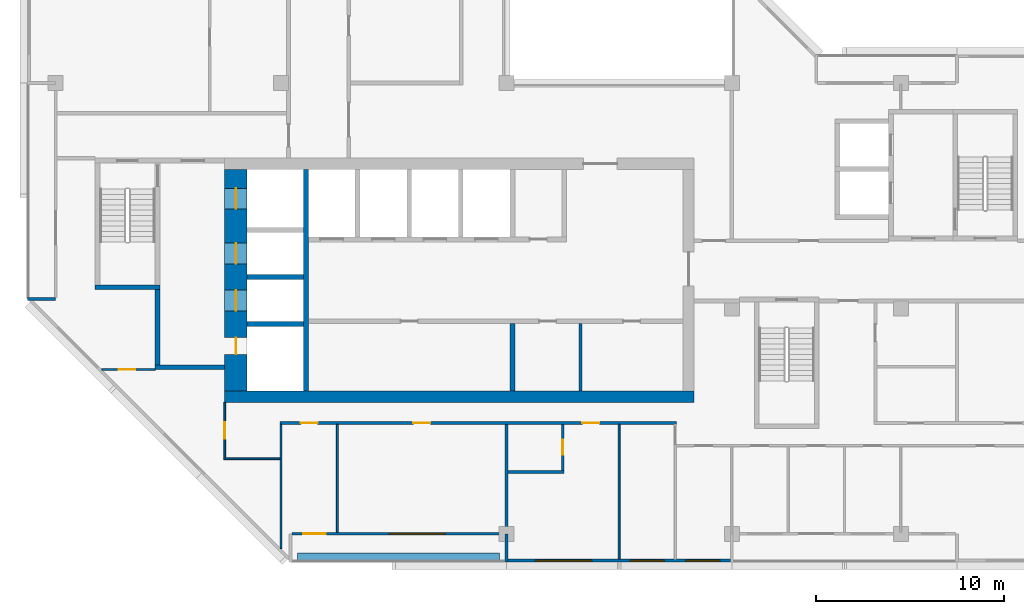
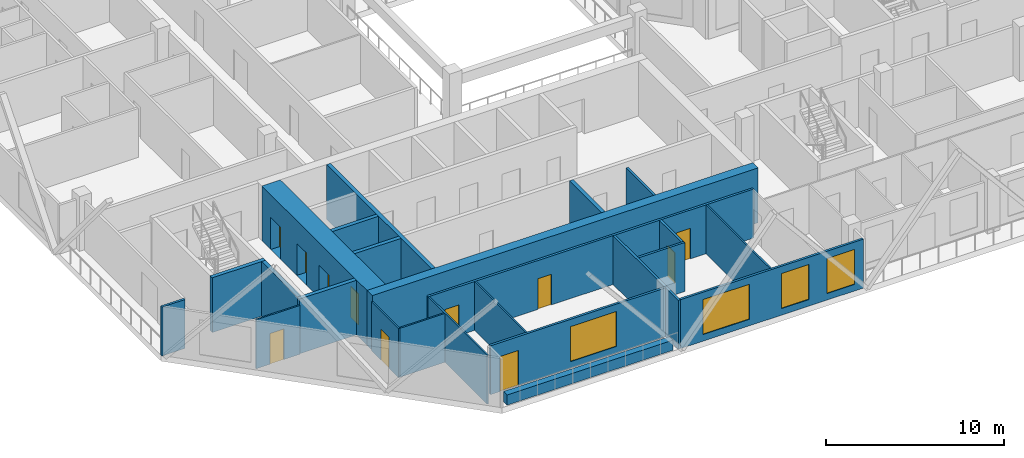
# One storey, part 4 of 13: 25 walls, 11 doors, 4 windows, 15 openings.
"""IFC4 building model written with IfcOpenShell, lengths in metres."""

from ifc_helpers import new_model, si_unit, direction, frame, frame_2d, origin, place, context, subcontext, project, spatial, rectangle, extrude, material, layer, layer_set, type_object, element, fill, save


model = new_model("IFC4")

# Units and contexts
model_context = context("Model", 3, precision=1e-05, world=origin(), true_north=direction((0.0, 1.0)))
body_context = subcontext(model_context, "Body", "Model", "MODEL_VIEW")
ifc_project = project(units=[si_unit("LENGTHUNIT", "METRE"), si_unit("AREAUNIT", "SQUARE_METRE"), si_unit("VOLUMEUNIT", "CUBIC_METRE"), si_unit("PLANEANGLEUNIT", "RADIAN"), si_unit("MASSUNIT", "GRAM", prefix="KILO")], contexts=[model_context])

# Site, building, storey
site_placement = place(None, origin())
site = spatial("IfcSite", under=ifc_project, at=site_placement, CompositionType="ELEMENT")
building_placement = place(site_placement, origin())
building = spatial("IfcBuilding", under=site, at=building_placement, Name="Chenar Terraces", CompositionType="ELEMENT")
storey_placement = place(building_placement, frame((0.0, 0.0, 295.89990234375)))
storey = spatial("IfcBuildingStorey", under=building, at=storey_placement, Name="L69", CompositionType="ELEMENT", Elevation=295.89990234375)

# Wall
ifc_material_1 = material(Name="Gypsum board on steel studs", Category="steel")
ifc_layer_1 = layer(ifc_material_1, 0.14990234375)
ifc_layer_set_1 = layer_set([ifc_layer_1], Name="Gypsum board on steel studs")
wall_type_1 = type_object("IfcWallType", Name="Core partition 150 gypsum board", PredefinedType="PARTITIONING", material=ifc_layer_set_1)
wall_1_placement = place(storey_placement, frame((27.949951171875, 7.60009765625, 0.0), z_axis=(0.0, 0.0, 1.0), x_axis=(0.0, 1.0, 0.0)))
element("IfcWall", 1, at=wall_1_placement, inside=storey, type_object=wall_type_1, Name="Core partition CP1 freed bay wall", PredefinedType="PARTITIONING", context=body_context, shape_type="SweptSolid", body=[
    extrude(rectangle(XDim=3.599853515625, YDim=0.14990234375, at=frame_2d((1.7998046875, 0.0))), origin(), (0.0, 0.0, 1.0), 3.35009765625),
])

# Wall, openings, doors
ifc_material_2 = material(Name="Concrete C50/60", Category="concrete")
ifc_layer_2 = layer(ifc_material_2, 1.199951171875)
ifc_layer_set_2 = layer_set([ifc_layer_2], Name="Concrete C50/60")
wall_type_2 = type_object("IfcWallType", Name="Core wall 1200 Concrete C50/60", PredefinedType="SHEAR", material=ifc_layer_set_2)
wall_2_placement = place(storey_placement, frame((9.60009765625, 7.60009765625, 0.0), z_axis=(0.0, 0.0, 1.0), x_axis=(0.0, 1.0, 0.0)))
wall_2 = element("IfcWall", 2, at=wall_2_placement, inside=storey, type_object=wall_type_2, Name="Core wall W L69", PredefinedType="SHEAR", context=body_context, shape_type="SweptSolid", body=[
    extrude(rectangle(XDim=11.7998046875, YDim=1.199951171875, at=frame_2d((5.89990234375, 0.0))), origin(), (0.0, 0.0, 1.0), 3.75),
])
opening_1_placement = place(wall_2_placement, frame((4.27490234375, 0.0, 0.0)))
opening_1 = element("IfcOpeningElement", 3, at=opening_1_placement, cuts=wall_2, Name="Opening DL69-LD5", PredefinedType="OPENING", context=body_context, shape_type="SweptSolid", body=[
    extrude(rectangle(XDim=1.10009765625, YDim=2.199951171875, at=frame_2d((0.550048828125, 1.10009765625))), frame((0.0, 0.60986328125, 0.0), z_axis=(0.0, -1.0, 0.0), x_axis=(1.0, 0.0, 0.0)), (0.0, 0.0, 1.0), 1.219970703125),
])
opening_2_placement = place(wall_2_placement, frame((6.77490234375, 0.0, 0.0)))
opening_2 = element("IfcOpeningElement", 4, at=opening_2_placement, cuts=wall_2, Name="Opening DL69-LD6", PredefinedType="OPENING", context=body_context, shape_type="SweptSolid", body=[
    extrude(rectangle(XDim=1.10009765625, YDim=2.199951171875, at=frame_2d((0.550048828125, 1.10009765625))), frame((0.0, 0.60986328125, 0.0), z_axis=(0.0, -1.0, 0.0), x_axis=(1.0, 0.0, 0.0)), (0.0, 0.0, 1.0), 1.219970703125),
])
opening_3_placement = place(wall_2_placement, frame((9.699951171875, 0.0, 0.0)))
opening_3 = element("IfcOpeningElement", 5, at=opening_3_placement, cuts=wall_2, Name="Opening DL69-LD7", PredefinedType="OPENING", context=body_context, shape_type="SweptSolid", body=[
    extrude(rectangle(XDim=1.10009765625, YDim=2.199951171875, at=frame_2d((0.550048828125, 1.10009765625))), frame((0.0, 0.60986328125, 0.0), z_axis=(0.0, -1.0, 0.0), x_axis=(1.0, 0.0, 0.0)), (0.0, 0.0, 1.0), 1.219970703125),
])
opening_4_placement = place(wall_2_placement, frame((1.949951171875, 0.0, 0.0)))
opening_4 = element("IfcOpeningElement", 6, at=opening_4_placement, cuts=wall_2, Name="Opening DL69-C4", PredefinedType="OPENING", context=body_context, shape_type="SweptSolid", body=[
    extrude(rectangle(XDim=0.89990234375, YDim=2.10009765625, at=frame_2d((0.449951171875, 1.050048828125))), frame((0.0, 0.60986328125, 0.0), z_axis=(0.0, -1.0, 0.0), x_axis=(1.0, 0.0, 0.0)), (0.0, 0.0, 1.0), 1.219970703125),
])
ifc_material_3 = material(Name="Stainless steel", Category="steel")
door_type_1 = type_object("IfcDoorType", Name="Lift landing door 1100 x 2200 sliding", OperationType="DOUBLE_DOOR_SLIDING", PredefinedType="DOOR", material=ifc_material_3)
door_1_placement = place(opening_1_placement, origin())
door_1 = element("IfcDoor", 7, at=door_1_placement, inside=storey, type_object=door_type_1, Name="Landing door S1", OperationType="DOUBLE_DOOR_SLIDING", OverallHeight=2.199951171875, OverallWidth=1.10009765625, PredefinedType="DOOR", context=body_context, shape_type="SweptSolid", body=[
    extrude(rectangle(XDim=1.10009765625, YDim=2.199951171875, at=frame_2d((0.550048828125, 1.10009765625))), frame((0.0, 0.02490234375, 0.0), z_axis=(0.0, -1.0, 0.0), x_axis=(1.0, 0.0, 0.0)), (0.0, 0.0, 1.0), 0.050048828125),
])
fill(opening_1, door_1)
door_2_placement = place(opening_2_placement, origin())
door_2 = element("IfcDoor", 8, at=door_2_placement, inside=storey, type_object=door_type_1, Name="Landing door F1", OperationType="DOUBLE_DOOR_SLIDING", OverallHeight=2.199951171875, OverallWidth=1.10009765625, PredefinedType="DOOR", context=body_context, shape_type="SweptSolid", body=[
    extrude(rectangle(XDim=1.10009765625, YDim=2.199951171875, at=frame_2d((0.550048828125, 1.10009765625))), frame((0.0, 0.02490234375, 0.0), z_axis=(0.0, -1.0, 0.0), x_axis=(1.0, 0.0, 0.0)), (0.0, 0.0, 1.0), 0.050048828125),
])
fill(opening_2, door_2)
door_3_placement = place(opening_3_placement, origin())
door_3 = element("IfcDoor", 9, at=door_3_placement, inside=storey, type_object=door_type_1, Name="Landing door F2", OperationType="DOUBLE_DOOR_SLIDING", OverallHeight=2.199951171875, OverallWidth=1.10009765625, PredefinedType="DOOR", context=body_context, shape_type="SweptSolid", body=[
    extrude(rectangle(XDim=1.10009765625, YDim=2.199951171875, at=frame_2d((0.550048828125, 1.10009765625))), frame((0.0, 0.02490234375, 0.0), z_axis=(0.0, -1.0, 0.0), x_axis=(1.0, 0.0, 0.0)), (0.0, 0.0, 1.0), 0.050048828125),
])
fill(opening_3, door_3)
ifc_material_4 = material(Name="Steel-framed fire-resisting door leaf", Category="steel")
door_type_2 = type_object("IfcDoorType", Name="Riser fire door FD60 900 x 2100", OperationType="SINGLE_SWING_LEFT", PredefinedType="DOOR", material=ifc_material_4)
door_4_placement = place(opening_4_placement, frame((0.89990234375, 0.0, 0.0), z_axis=(0.0, 0.0, 1.0), x_axis=(-1.0, 0.0, 0.0)))
door_4 = element("IfcDoor", 10, at=door_4_placement, inside=storey, type_object=door_type_2, Name="Riser door DL69-C4", OperationType="SINGLE_SWING_LEFT", OverallHeight=2.10009765625, OverallWidth=0.89990234375, PredefinedType="DOOR", context=body_context, shape_type="SweptSolid", body=[
    extrude(rectangle(XDim=0.89990234375, YDim=2.10009765625, at=frame_2d((0.449951171875, 1.050048828125))), frame((0.0, 0.02490234375, 0.0), z_axis=(0.0, -1.0, 0.0), x_axis=(1.0, 0.0, 0.0)), (0.0, 0.0, 1.0), 0.050048828125),
])
fill(opening_4, door_4)

# Walls
ifc_material_5 = material(Name="Concrete C50/60", Category="concrete")
ifc_layer_3 = layer(ifc_material_5, 0.25)
ifc_layer_set_3 = layer_set([ifc_layer_3], Name="Concrete C50/60")
wall_type_3 = type_object("IfcWallType", Name="Core wall 250 Concrete C50/60", PredefinedType="SHEAR", material=ifc_layer_set_3)
wall_3_placement = place(storey_placement, frame((13.324951171875, 7.60009765625, 0.0), z_axis=(0.0, 0.0, 1.0), x_axis=(0.0, 1.0, 0.0)))
element("IfcWall", 11, at=wall_3_placement, inside=storey, type_object=wall_type_3, Name="Core wall WI L69", PredefinedType="SHEAR", context=body_context, shape_type="SweptSolid", body=[
    extrude(rectangle(XDim=11.7998046875, YDim=0.25, at=frame_2d((5.89990234375, 0.0))), origin(), (0.0, 0.0, 1.0), 3.75),
])
for number, where, z_axis, x_axis, name in (
    (12, (10.199951171875, 11.175048828125, 0.0), (0.0, 0.0, 1.0), (1.0, 0.0, 0.0), "Core wall HW0 L69"),
    (13, (10.199951171875, 13.675048828125, 0.0), (0.0, 0.0, 1.0), (1.0, 0.0, 0.0), "Core wall HW1 L69"),
):
    element("IfcWall", number, at=place(storey_placement, frame(where, z_axis=z_axis, x_axis=x_axis)), inside=storey, type_object=wall_type_3, Name=name, PredefinedType="SHEAR", context=body_context, shape_type="SweptSolid", body=[
        extrude(rectangle(XDim=3.0, YDim=0.25, at=frame_2d((1.5, 0.0))), origin(), (0.0, 0.0, 1.0), 3.75),
    ])
wall_4_placement = place(storey_placement, frame((24.324951171875, 7.60009765625, 0.0), z_axis=(0.0, 0.0, 1.0), x_axis=(0.0, 1.0, 0.0)))
element("IfcWall", 14, at=wall_4_placement, inside=storey, type_object=wall_type_3, Name="Core wall SS3 L69", PredefinedType="SHEAR", context=body_context, shape_type="SweptSolid", body=[
    extrude(rectangle(XDim=3.599853515625, YDim=0.25, at=frame_2d((1.7998046875, 0.0))), origin(), (0.0, 0.0, 1.0), 3.75),
])
wall_5_placement = place(storey_placement, frame((2.10009765625, 13.125, 0.0), z_axis=(0.0, 0.0, 1.0), x_axis=(1.0, 0.0, 0.0)))
element("IfcWall", 15, at=wall_5_placement, inside=storey, type_object=wall_type_3, Name="Core wall ST1_S L69", PredefinedType="SHEAR", context=body_context, shape_type="SweptSolid", body=[
    extrude(rectangle(XDim=3.449951171875, YDim=0.25, at=frame_2d((1.72509765625, 0.0))), origin(), (0.0, 0.0, 1.0), 3.75),
])
wall_6_placement = place(storey_placement, frame((5.300048828125, 8.875, 0.0), z_axis=(0.0, 0.0, 1.0), x_axis=(1.0, 0.0, 0.0)))
element("IfcWall", 16, at=wall_6_placement, inside=storey, type_object=wall_type_3, Name="Core wall FFL_S L69", PredefinedType="SHEAR", context=body_context, shape_type="SweptSolid", body=[
    extrude(rectangle(XDim=3.699951171875, YDim=0.25, at=frame_2d((1.85009765625, 0.0))), origin(), (0.0, 0.0, 1.0), 3.75),
])
wall_7_placement = place(storey_placement, frame((5.425048828125, 9.0, 0.0), z_axis=(0.0, 0.0, 1.0), x_axis=(0.0, 1.0, 0.0)))
element("IfcWall", 17, at=wall_7_placement, inside=storey, type_object=wall_type_3, Name="Core wall FFL_W L69", PredefinedType="SHEAR", context=body_context, shape_type="SweptSolid", body=[
    extrude(rectangle(XDim=4.0, YDim=0.25, at=frame_2d((2.0, 0.0))), origin(), (0.0, 0.0, 1.0), 3.75),
])
ifc_material_6 = material(Name="Concrete C50/60", Category="concrete")
ifc_layer_4 = layer(ifc_material_6, 0.60009765625)
ifc_layer_set_4 = layer_set([ifc_layer_4], Name="Concrete C50/60")
wall_type_4 = type_object("IfcWallType", Name="Core wall 600 Concrete C50/60", PredefinedType="SHEAR", material=ifc_layer_set_4)
wall_8_placement = place(storey_placement, frame((9.0, 7.300048828125, 0.0), z_axis=(0.0, 0.0, 1.0), x_axis=(1.0, 0.0, 0.0)))
element("IfcWall", 18, at=wall_8_placement, inside=storey, type_object=wall_type_4, Name="Core wall S L69", PredefinedType="SHEAR", context=body_context, shape_type="SweptSolid", body=[
    extrude(rectangle(XDim=25.0, YDim=0.60009765625, at=frame_2d((12.5, 0.0))), origin(), (0.0, 0.0, 1.0), 3.75),
])

# Wall, openings, windows
ifc_material_7 = material(Name="Aluminium framed glazing", Category="aluminium")
ifc_layer_5 = layer(ifc_material_7, 0.14990234375)
ifc_layer_set_5 = layer_set([ifc_layer_5], Name="Aluminium framed glazing")
wall_type_5 = type_object("IfcWallType", Name="Glazed flush facade wall 150", PredefinedType="SOLIDWALL", material=ifc_layer_set_5)
wall_9_placement = place(storey_placement, frame((24.074951171875, -1.425048828125, 0.0), z_axis=(0.0, 0.0, 1.0), x_axis=(1.0, 0.0, 0.0)))
wall_9 = element("IfcWall", 19, at=wall_9_placement, inside=storey, type_object=wall_type_5, Name="Glazed flush facade wall", PredefinedType="SOLIDWALL", context=body_context, shape_type="SweptSolid", body=[
    extrude(rectangle(XDim=11.85009765625, YDim=0.14990234375, at=frame_2d((5.925048828125, 0.0))), origin(), (0.0, 0.0, 1.0), 3.35009765625),
])
opening_5_placement = place(wall_9_placement, frame((1.46240234375, 0.0, 0.449951171875)))
opening_5 = element("IfcOpeningElement", 20, at=opening_5_placement, cuts=wall_9, Name="Opening W300x240", PredefinedType="OPENING", context=body_context, shape_type="SweptSolid", body=[
    extrude(rectangle(XDim=3.0, YDim=2.39990234375, at=frame_2d((1.5, 1.199951171875))), frame((0.0, 0.0849609375, 0.0), z_axis=(0.0, -1.0, 0.0), x_axis=(1.0, 0.0, 0.0)), (0.0, 0.0, 1.0), 0.169921875),
])
opening_6_placement = place(wall_9_placement, frame((6.52490234375, 0.0, 0.449951171875)))
opening_6 = element("IfcOpeningElement", 21, at=opening_6_placement, cuts=wall_9, Name="Opening W180x240", PredefinedType="OPENING", context=body_context, shape_type="SweptSolid", body=[
    extrude(rectangle(XDim=1.800048828125, YDim=2.39990234375, at=frame_2d((0.89990234375, 1.199951171875))), frame((0.0, 0.0849609375, 0.0), z_axis=(0.0, -1.0, 0.0), x_axis=(1.0, 0.0, 0.0)), (0.0, 0.0, 1.0), 0.169921875),
])
opening_7_placement = place(wall_9_placement, frame((9.487548828125, 0.0, 0.449951171875)))
opening_7 = element("IfcOpeningElement", 22, at=opening_7_placement, cuts=wall_9, Name="Opening W180x240", PredefinedType="OPENING", context=body_context, shape_type="SweptSolid", body=[
    extrude(rectangle(XDim=1.800048828125, YDim=2.39990234375, at=frame_2d((0.89990234375, 1.199951171875))), frame((0.0, 0.0849609375, 0.0), z_axis=(0.0, -1.0, 0.0), x_axis=(1.0, 0.0, 0.0)), (0.0, 0.0, 1.0), 0.169921875),
])
ifc_material_8 = material(Name="Low emissivity double glazing, aluminium frame", Category="aluminium")
window_type_1 = type_object("IfcWindowType", Name="Fixed light 1800 x 2400", PartitioningType="SINGLE_PANEL", PredefinedType="WINDOW", material=ifc_material_8)
window_1_placement = place(opening_6_placement, origin())
window_1 = element("IfcWindow", 23, at=window_1_placement, inside=storey, type_object=window_type_1, Name="Window", OverallHeight=2.39990234375, OverallWidth=1.800048828125, PartitioningType="SINGLE_PANEL", PredefinedType="WINDOW", context=body_context, shape_type="SweptSolid", body=[
    extrude(rectangle(XDim=1.800048828125, YDim=2.39990234375, at=frame_2d((0.89990234375, 1.199951171875))), frame((0.0, 0.030029296875, 0.0), z_axis=(0.0, -1.0, 0.0), x_axis=(1.0, 0.0, 0.0)), (0.0, 0.0, 1.0), 0.06005859375),
])
fill(opening_6, window_1)
window_2_placement = place(opening_7_placement, origin())
window_2 = element("IfcWindow", 24, at=window_2_placement, inside=storey, type_object=window_type_1, Name="Window", OverallHeight=2.39990234375, OverallWidth=1.800048828125, PartitioningType="SINGLE_PANEL", PredefinedType="WINDOW", context=body_context, shape_type="SweptSolid", body=[
    extrude(rectangle(XDim=1.800048828125, YDim=2.39990234375, at=frame_2d((0.89990234375, 1.199951171875))), frame((0.0, 0.030029296875, 0.0), z_axis=(0.0, -1.0, 0.0), x_axis=(1.0, 0.0, 0.0)), (0.0, 0.0, 1.0), 0.06005859375),
])
fill(opening_7, window_2)
ifc_material_9 = material(Name="Low emissivity double glazing, aluminium frame", Category="aluminium")
window_type_2 = type_object("IfcWindowType", Name="Fixed light 3000 x 2400", PartitioningType="SINGLE_PANEL", PredefinedType="WINDOW", material=ifc_material_9)
window_3_placement = place(opening_5_placement, origin())
window_3 = element("IfcWindow", 25, at=window_3_placement, inside=storey, type_object=window_type_2, Name="Window", OverallHeight=2.39990234375, OverallWidth=3.0, PartitioningType="SINGLE_PANEL", PredefinedType="WINDOW", context=body_context, shape_type="SweptSolid", body=[
    extrude(rectangle(XDim=3.0, YDim=2.39990234375, at=frame_2d((1.5, 1.199951171875))), frame((0.0, 0.030029296875, 0.0), z_axis=(0.0, -1.0, 0.0), x_axis=(1.0, 0.0, 0.0)), (0.0, 0.0, 1.0), 0.06005859375),
])
fill(opening_5, window_3)

# Wall, openings, window, door
ifc_material_10 = material(Name="Aluminium framed glazing", Category="aluminium")
ifc_layer_6 = layer(ifc_material_10, 0.14990234375)
ifc_layer_set_6 = layer_set([ifc_layer_6], Name="Aluminium framed glazing")
wall_type_6 = type_object("IfcWallType", Name="Glazed loggia back wall 150", PredefinedType="SOLIDWALL", material=ifc_layer_set_6)
wall_10_placement = place(storey_placement, frame((12.574951171875, 0.0, 0.0), z_axis=(0.0, 0.0, 1.0), x_axis=(1.0, 0.0, 0.0)))
wall_10 = element("IfcWall", 26, at=wall_10_placement, inside=storey, type_object=wall_type_6, Name="Glazed loggia back wall", PredefinedType="SOLIDWALL", context=body_context, shape_type="SweptSolid", body=[
    extrude(rectangle(XDim=11.35009765625, YDim=0.14990234375, at=frame_2d((5.675048828125, 0.0))), origin(), (0.0, 0.0, 1.0), 3.35009765625),
])
opening_8_placement = place(wall_10_placement, frame((0.612548828125, 0.0, 0.0)))
opening_8 = element("IfcOpeningElement", 27, at=opening_8_placement, cuts=wall_10, Name="Opening DL69-G4", PredefinedType="OPENING", context=body_context, shape_type="SweptSolid", body=[
    extrude(rectangle(XDim=1.199951171875, YDim=2.39990234375, at=frame_2d((0.60009765625, 1.199951171875))), frame((0.0, 0.0849609375, 0.0), z_axis=(0.0, -1.0, 0.0), x_axis=(1.0, 0.0, 0.0)), (0.0, 0.0, 1.0), 0.169921875),
])
opening_9_placement = place(wall_10_placement, frame((5.175048828125, 0.0, 0.449951171875)))
opening_9 = element("IfcOpeningElement", 28, at=opening_9_placement, cuts=wall_10, Name="Opening W300x240", PredefinedType="OPENING", context=body_context, shape_type="SweptSolid", body=[
    extrude(rectangle(XDim=3.0, YDim=2.39990234375, at=frame_2d((1.5, 1.199951171875))), frame((0.0, 0.0849609375, 0.0), z_axis=(0.0, -1.0, 0.0), x_axis=(1.0, 0.0, 0.0)), (0.0, 0.0, 1.0), 0.169921875),
])
window_4_placement = place(opening_9_placement, origin())
window_4 = element("IfcWindow", 29, at=window_4_placement, inside=storey, type_object=window_type_2, Name="Window", OverallHeight=2.39990234375, OverallWidth=3.0, PartitioningType="SINGLE_PANEL", PredefinedType="WINDOW", context=body_context, shape_type="SweptSolid", body=[
    extrude(rectangle(XDim=3.0, YDim=2.39990234375, at=frame_2d((1.5, 1.199951171875))), frame((0.0, 0.030029296875, 0.0), z_axis=(0.0, -1.0, 0.0), x_axis=(1.0, 0.0, 0.0)), (0.0, 0.0, 1.0), 0.06005859375),
])
fill(opening_9, window_4)
ifc_material_11 = material(Name="Low emissivity double glazing, aluminium frame", Category="aluminium")
door_type_3 = type_object("IfcDoorType", Name="Loggia glazed double door 1200 x 2400", OperationType="DOUBLE_DOOR_SINGLE_SWING", PredefinedType="DOOR", material=ifc_material_11)
door_5_placement = place(opening_8_placement, frame((1.199951171875, 0.0, 0.0), z_axis=(0.0, 0.0, 1.0), x_axis=(-1.0, 0.0, 0.0)))
door_5 = element("IfcDoor", 30, at=door_5_placement, inside=storey, type_object=door_type_3, Name="Loggia glazed door", OperationType="DOUBLE_DOOR_SINGLE_SWING", OverallHeight=2.39990234375, OverallWidth=1.199951171875, PredefinedType="DOOR", context=body_context, shape_type="SweptSolid", body=[
    extrude(rectangle(XDim=1.199951171875, YDim=2.39990234375, at=frame_2d((0.60009765625, 1.199951171875))), frame((0.0, 0.02490234375, 0.0), z_axis=(0.0, -1.0, 0.0), x_axis=(1.0, 0.0, 0.0)), (0.0, 0.0, 1.0), 0.050048828125),
])
fill(opening_8, door_5)

# Wall, opening, door
ifc_material_12 = material(Name="Gypsum board on steel studs", Category="steel")
ifc_layer_7 = layer(ifc_material_12, 0.10009765625)
ifc_layer_set_7 = layer_set([ifc_layer_7], Name="Gypsum board on steel studs")
wall_type_7 = type_object("IfcWallType", Name="Gypsum partition 100", PredefinedType="PARTITIONING", material=ifc_layer_set_7)
wall_11_placement = place(storey_placement, frame((2.4609375, 8.75, 0.0), z_axis=(0.0, 0.0, 1.0), x_axis=(1.0, 0.0, 0.0)))
wall_11 = element("IfcWall", 31, at=wall_11_placement, inside=storey, type_object=wall_type_7, Name="Partition L69-009", PredefinedType="PARTITIONING", context=body_context, shape_type="SweptSolid", body=[
    extrude(rectangle(XDim=2.839111328125, YDim=0.10009765625, at=frame_2d((1.41943359375, 0.0))), origin(), (0.0, 0.0, 1.0), 3.35009765625),
])
opening_10_placement = place(wall_11_placement, frame((0.888916015625, 0.0, 0.0)))
opening_10 = element("IfcOpeningElement", 32, at=opening_10_placement, cuts=wall_11, Name="Opening DL69-40", PredefinedType="OPENING", context=body_context, shape_type="SweptSolid", body=[
    extrude(rectangle(XDim=0.89990234375, YDim=2.10009765625, at=frame_2d((0.449951171875, 1.050048828125))), frame((0.0, 0.06005859375, 0.0), z_axis=(0.0, -1.0, 0.0), x_axis=(1.0, 0.0, 0.0)), (0.0, 0.0, 1.0), 0.1201171875),
])
ifc_material_13 = material(Name="Veneered timber door leaf", Category="wood")
door_type_4 = type_object("IfcDoorType", Name="Door 900 x 2100", OperationType="SINGLE_SWING_LEFT", PredefinedType="DOOR", material=ifc_material_13)
door_6_placement = place(opening_10_placement, frame((0.89990234375, 0.0, 0.0), z_axis=(0.0, 0.0, 1.0), x_axis=(-1.0, 0.0, 0.0)))
door_6 = element("IfcDoor", 33, at=door_6_placement, inside=storey, type_object=door_type_4, Name="Door DL69-40", OperationType="SINGLE_SWING_RIGHT", OverallHeight=2.10009765625, OverallWidth=0.89990234375, PredefinedType="DOOR", context=body_context, shape_type="SweptSolid", body=[
    extrude(rectangle(XDim=0.89990234375, YDim=2.10009765625, at=frame_2d((0.449951171875, 1.050048828125))), frame((0.0, 0.02490234375, 0.0), z_axis=(0.0, -1.0, 0.0), x_axis=(1.0, 0.0, 0.0)), (0.0, 0.0, 1.0), 0.050048828125),
])
fill(opening_10, door_6)

wall_12_placement = place(storey_placement, frame((9.0, 3.949951171875, 0.0), z_axis=(0.0, 0.0, 1.0), x_axis=(0.0, 1.0, 0.0)))
wall_12 = element("IfcWall", 34, at=wall_12_placement, inside=storey, type_object=wall_type_7, Name="Partition L69-027", PredefinedType="PARTITIONING", context=body_context, shape_type="SweptSolid", body=[
    extrude(rectangle(XDim=3.050048828125, YDim=0.10009765625, at=frame_2d((1.52490234375, 0.0))), origin(), (0.0, 0.0, 1.0), 3.35009765625),
])
opening_11_placement = place(wall_12_placement, frame((1.10009765625, 0.0, 0.0)))
opening_11 = element("IfcOpeningElement", 35, at=opening_11_placement, cuts=wall_12, Name="Opening DL69-39", PredefinedType="OPENING", context=body_context, shape_type="SweptSolid", body=[
    extrude(rectangle(XDim=0.89990234375, YDim=2.10009765625, at=frame_2d((0.449951171875, 1.050048828125))), frame((0.0, 0.06005859375, 0.0), z_axis=(0.0, -1.0, 0.0), x_axis=(1.0, 0.0, 0.0)), (0.0, 0.0, 1.0), 0.1201171875),
])
door_7_placement = place(opening_11_placement, origin())
door_7 = element("IfcDoor", 36, at=door_7_placement, inside=storey, type_object=door_type_4, Name="Door DL69-39", OperationType="SINGLE_SWING_LEFT", OverallHeight=2.10009765625, OverallWidth=0.89990234375, PredefinedType="DOOR", context=body_context, shape_type="SweptSolid", body=[
    extrude(rectangle(XDim=0.89990234375, YDim=2.10009765625, at=frame_2d((0.449951171875, 1.050048828125))), frame((0.0, 0.02490234375, 0.0), z_axis=(0.0, -1.0, 0.0), x_axis=(1.0, 0.0, 0.0)), (0.0, 0.0, 1.0), 0.050048828125),
])
fill(opening_11, door_7)

# Walls
wall_13_placement = place(storey_placement, frame((9.050048828125, 4.0, 0.0), z_axis=(0.0, 0.0, 1.0), x_axis=(1.0, 0.0, 0.0)))
element("IfcWall", 37, at=wall_13_placement, inside=storey, type_object=wall_type_7, Name="Partition L69-028", PredefinedType="PARTITIONING", context=body_context, shape_type="SweptSolid", body=[
    extrude(rectangle(XDim=2.89990234375, YDim=0.10009765625, at=frame_2d((1.449951171875, 0.0))), origin(), (0.0, 0.0, 1.0), 3.35009765625),
])
wall_14_placement = place(storey_placement, frame((12.0, -0.787841796875, 0.0), z_axis=(0.0, 0.0, 1.0), x_axis=(0.0, 1.0, 0.0)))
element("IfcWall", 38, at=wall_14_placement, inside=storey, type_object=wall_type_7, Name="Partition L69-030", PredefinedType="PARTITIONING", context=body_context, shape_type="SweptSolid", body=[
    extrude(rectangle(XDim=6.61279296875, YDim=0.10009765625, at=frame_2d((3.306396484375, 0.0))), origin(), (0.0, 0.0, 1.0), 3.35009765625),
])
wall_15_placement = place(storey_placement, frame((15.0, 0.073974609375, 0.0), z_axis=(0.0, 0.0, 1.0), x_axis=(0.0, 1.0, 0.0)))
element("IfcWall", 39, at=wall_15_placement, inside=storey, type_object=wall_type_7, Name="Partition L69-032", PredefinedType="PARTITIONING", context=body_context, shape_type="SweptSolid", body=[
    extrude(rectangle(XDim=5.7509765625, YDim=0.10009765625, at=frame_2d((2.87548828125, 0.0))), origin(), (0.0, 0.0, 1.0), 3.35009765625),
])
wall_16_placement = place(storey_placement, frame((30.0, -1.35107421875, 0.0), z_axis=(0.0, 0.0, 1.0), x_axis=(0.0, 1.0, 0.0)))
element("IfcWall", 40, at=wall_16_placement, inside=storey, type_object=wall_type_7, Name="Partition L69-048", PredefinedType="PARTITIONING", context=body_context, shape_type="SweptSolid", body=[
    extrude(rectangle(XDim=7.176025390625, YDim=0.10009765625, at=frame_2d((3.587890625, 0.0))), origin(), (0.0, 0.0, 1.0), 3.35009765625),
])
ifc_material_14 = material(Name="Terracotta cladding on insulated backing", Category="masonry")
ifc_layer_8 = layer(ifc_material_14, 0.14990234375)
ifc_layer_set_8 = layer_set([ifc_layer_8], Name="Terracotta cladding on insulated backing")
wall_type_8 = type_object("IfcWallType", Name="Loggia return wall 150", PredefinedType="SOLIDWALL", material=ifc_layer_set_8)
for number, where, z_axis, x_axis, name in (
    (41, (-1.5, 12.5, 0.0), (0.0, 0.0, 1.0), (1.0, 0.0, 0.0), "Loggia return wall"),
    (42, (24.0, -1.5, 0.0), (0.0, 0.0, 1.0), (0.0, 1.0, 0.0), "Loggia return wall"),
):
    element("IfcWall", number, at=place(storey_placement, frame(where, z_axis=z_axis, x_axis=x_axis)), inside=storey, type_object=wall_type_8, Name=name, PredefinedType="SOLIDWALL", context=body_context, shape_type="SweptSolid", body=[
        extrude(rectangle(XDim=1.5, YDim=0.14990234375, at=frame_2d((0.75, 0.0))), origin(), (0.0, 0.0, 1.0), 3.35009765625),
    ])
ifc_material_15 = material(Name="GRP planter trough")
ifc_layer_9 = layer(ifc_material_15, 0.39990234375)
ifc_layer_set_9 = layer_set([ifc_layer_9], Name="GRP planter trough")
wall_type_9 = type_object("IfcWallType", Name="Vertical greenery planter 400", PredefinedType="SOLIDWALL", material=ifc_layer_set_9)
wall_17_placement = place(storey_placement, frame((12.875, -1.22900390625, 0.0), z_axis=(0.0, 0.0, 1.0), x_axis=(1.0, 0.0, 0.0)))
element("IfcWall", 43, at=wall_17_placement, inside=storey, type_object=wall_type_9, Name="Vertical greenery planter", PredefinedType="SOLIDWALL", context=body_context, shape_type="SweptSolid", body=[
    extrude(rectangle(XDim=10.75, YDim=0.39990234375, at=frame_2d((5.375, 0.0))), origin(), (0.0, 0.0, 1.0), 0.7001953125),
])

# Wall, openings, doors
ifc_material_16 = material(Name="Moisture-resistant gypsum board on steel studs", Category="steel")
ifc_layer_10 = layer(ifc_material_16, 0.14990234375)
ifc_layer_set_10 = layer_set([ifc_layer_10], Name="Moisture-resistant gypsum board on steel studs")
wall_type_10 = type_object("IfcWallType", Name="Wet-room partition 150", PredefinedType="PARTITIONING", material=ifc_layer_set_10)
wall_18_placement = place(storey_placement, frame((11.949951171875, 5.89990234375, 0.0), z_axis=(0.0, 0.0, 1.0), x_axis=(1.0, 0.0, 0.0)))
wall_18 = element("IfcWall", 44, at=wall_18_placement, inside=storey, type_object=wall_type_10, Name="Partition L69-029", PredefinedType="PARTITIONING", context=body_context, shape_type="SweptSolid", body=[
    extrude(rectangle(XDim=21.10009765625, YDim=0.14990234375, at=frame_2d((10.550048828125, 0.0))), origin(), (0.0, 0.0, 1.0), 3.35009765625),
])
opening_12_placement = place(wall_18_placement, frame((1.10009765625, 0.0, 0.0)))
opening_12 = element("IfcOpeningElement", 45, at=opening_12_placement, cuts=wall_18, Name="Opening DL69-33", PredefinedType="OPENING", context=body_context, shape_type="SweptSolid", body=[
    extrude(rectangle(XDim=0.89990234375, YDim=2.10009765625, at=frame_2d((0.449951171875, 1.050048828125))), frame((0.0, 0.0849609375, 0.0), z_axis=(0.0, -1.0, 0.0), x_axis=(1.0, 0.0, 0.0)), (0.0, 0.0, 1.0), 0.169921875),
])
opening_13_placement = place(wall_18_placement, frame((16.10009765625, 0.0, 0.0)))
opening_13 = element("IfcOpeningElement", 46, at=opening_13_placement, cuts=wall_18, Name="Opening DL69-41", PredefinedType="OPENING", context=body_context, shape_type="SweptSolid", body=[
    extrude(rectangle(XDim=0.89990234375, YDim=2.10009765625, at=frame_2d((0.449951171875, 1.050048828125))), frame((0.0, 0.0849609375, 0.0), z_axis=(0.0, -1.0, 0.0), x_axis=(1.0, 0.0, 0.0)), (0.0, 0.0, 1.0), 0.169921875),
])
opening_14_placement = place(wall_18_placement, frame((7.10009765625, 0.0, 0.0)))
opening_14 = element("IfcOpeningElement", 47, at=opening_14_placement, cuts=wall_18, Name="Opening DL69-45", PredefinedType="OPENING", context=body_context, shape_type="SweptSolid", body=[
    extrude(rectangle(XDim=0.89990234375, YDim=2.10009765625, at=frame_2d((0.449951171875, 1.050048828125))), frame((0.0, 0.0849609375, 0.0), z_axis=(0.0, -1.0, 0.0), x_axis=(1.0, 0.0, 0.0)), (0.0, 0.0, 1.0), 0.169921875),
])
door_8_placement = place(opening_12_placement, frame((0.89990234375, 0.0, 0.0), z_axis=(0.0, 0.0, 1.0), x_axis=(-1.0, 0.0, 0.0)))
door_8 = element("IfcDoor", 48, at=door_8_placement, inside=storey, type_object=door_type_4, Name="Door DL69-33", OperationType="SINGLE_SWING_RIGHT", OverallHeight=2.10009765625, OverallWidth=0.89990234375, PredefinedType="DOOR", context=body_context, shape_type="SweptSolid", body=[
    extrude(rectangle(XDim=0.89990234375, YDim=2.10009765625, at=frame_2d((0.449951171875, 1.050048828125))), frame((0.0, 0.02490234375, 0.0), z_axis=(0.0, -1.0, 0.0), x_axis=(1.0, 0.0, 0.0)), (0.0, 0.0, 1.0), 0.050048828125),
])
fill(opening_12, door_8)
door_9_placement = place(opening_13_placement, frame((0.89990234375, 0.0, 0.0), z_axis=(0.0, 0.0, 1.0), x_axis=(-1.0, 0.0, 0.0)))
door_9 = element("IfcDoor", 49, at=door_9_placement, inside=storey, type_object=door_type_4, Name="Door DL69-41", OperationType="SINGLE_SWING_RIGHT", OverallHeight=2.10009765625, OverallWidth=0.89990234375, PredefinedType="DOOR", context=body_context, shape_type="SweptSolid", body=[
    extrude(rectangle(XDim=0.89990234375, YDim=2.10009765625, at=frame_2d((0.449951171875, 1.050048828125))), frame((0.0, 0.02490234375, 0.0), z_axis=(0.0, -1.0, 0.0), x_axis=(1.0, 0.0, 0.0)), (0.0, 0.0, 1.0), 0.050048828125),
])
fill(opening_13, door_9)
door_10_placement = place(opening_14_placement, frame((0.89990234375, 0.0, 0.0), z_axis=(0.0, 0.0, 1.0), x_axis=(-1.0, 0.0, 0.0)))
door_10 = element("IfcDoor", 50, at=door_10_placement, inside=storey, type_object=door_type_4, Name="Door DL69-45", OperationType="SINGLE_SWING_RIGHT", OverallHeight=2.10009765625, OverallWidth=0.89990234375, PredefinedType="DOOR", context=body_context, shape_type="SweptSolid", body=[
    extrude(rectangle(XDim=0.89990234375, YDim=2.10009765625, at=frame_2d((0.449951171875, 1.050048828125))), frame((0.0, 0.02490234375, 0.0), z_axis=(0.0, -1.0, 0.0), x_axis=(1.0, 0.0, 0.0)), (0.0, 0.0, 1.0), 0.050048828125),
])
fill(opening_14, door_10)

# Walls
wall_19_placement = place(storey_placement, frame((24.0, 0.0, 0.0), z_axis=(0.0, 0.0, 1.0), x_axis=(0.0, 1.0, 0.0)))
element("IfcWall", 51, at=wall_19_placement, inside=storey, type_object=wall_type_10, Name="Partition L69-045", PredefinedType="PARTITIONING", context=body_context, shape_type="SweptSolid", body=[
    extrude(rectangle(XDim=5.824951171875, YDim=0.14990234375, at=frame_2d((2.91259765625, 0.0))), origin(), (0.0, 0.0, 1.0), 3.35009765625),
])
wall_20_placement = place(storey_placement, frame((24.074951171875, 3.300048828125, 0.0), z_axis=(0.0, 0.0, 1.0), x_axis=(1.0, 0.0, 0.0)))
element("IfcWall", 52, at=wall_20_placement, inside=storey, type_object=wall_type_10, Name="Partition L69-046", PredefinedType="PARTITIONING", context=body_context, shape_type="SweptSolid", body=[
    extrude(rectangle(XDim=3.0, YDim=0.14990234375, at=frame_2d((1.5, 0.0))), origin(), (0.0, 0.0, 1.0), 3.35009765625),
])

# Wall, opening, door
wall_21_placement = place(storey_placement, frame((27.0, 3.375, 0.0), z_axis=(0.0, 0.0, 1.0), x_axis=(0.0, 1.0, 0.0)))
wall_21 = element("IfcWall", 53, at=wall_21_placement, inside=storey, type_object=wall_type_10, Name="Partition L69-047", PredefinedType="PARTITIONING", context=body_context, shape_type="SweptSolid", body=[
    extrude(rectangle(XDim=2.449951171875, YDim=0.14990234375, at=frame_2d((1.22509765625, 0.0))), origin(), (0.0, 0.0, 1.0), 3.35009765625),
])
opening_15_placement = place(wall_21_placement, frame((0.824951171875, 0.0, 0.0)))
opening_15 = element("IfcOpeningElement", 54, at=opening_15_placement, cuts=wall_21, Name="Opening DL69-42", PredefinedType="OPENING", context=body_context, shape_type="SweptSolid", body=[
    extrude(rectangle(XDim=0.800048828125, YDim=2.10009765625, at=frame_2d((0.39990234375, 1.050048828125))), frame((0.0, 0.0849609375, 0.0), z_axis=(0.0, -1.0, 0.0), x_axis=(1.0, 0.0, 0.0)), (0.0, 0.0, 1.0), 0.169921875),
])
ifc_material_17 = material(Name="Veneered timber door leaf", Category="wood")
door_type_5 = type_object("IfcDoorType", Name="Door 800 x 2100", OperationType="SINGLE_SWING_LEFT", PredefinedType="DOOR", material=ifc_material_17)
door_11_placement = place(opening_15_placement, origin())
door_11 = element("IfcDoor", 55, at=door_11_placement, inside=storey, type_object=door_type_5, Name="Door DL69-42", OperationType="SINGLE_SWING_RIGHT", OverallHeight=2.10009765625, OverallWidth=0.800048828125, PredefinedType="DOOR", context=body_context, shape_type="SweptSolid", body=[
    extrude(rectangle(XDim=0.800048828125, YDim=2.10009765625, at=frame_2d((0.39990234375, 1.050048828125))), frame((0.0, 0.02490234375, 0.0), z_axis=(0.0, -1.0, 0.0), x_axis=(1.0, 0.0, 0.0)), (0.0, 0.0, 1.0), 0.050048828125),
])
fill(opening_15, door_11)

save(model, "model.ifc")
